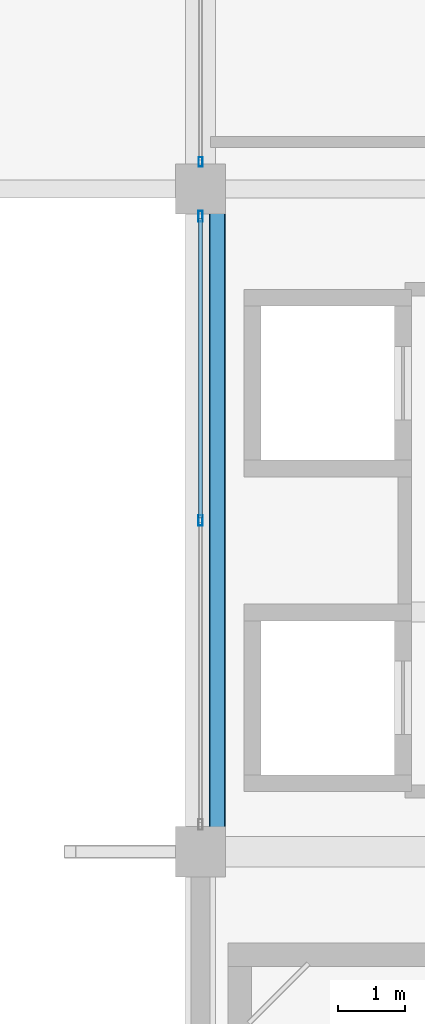
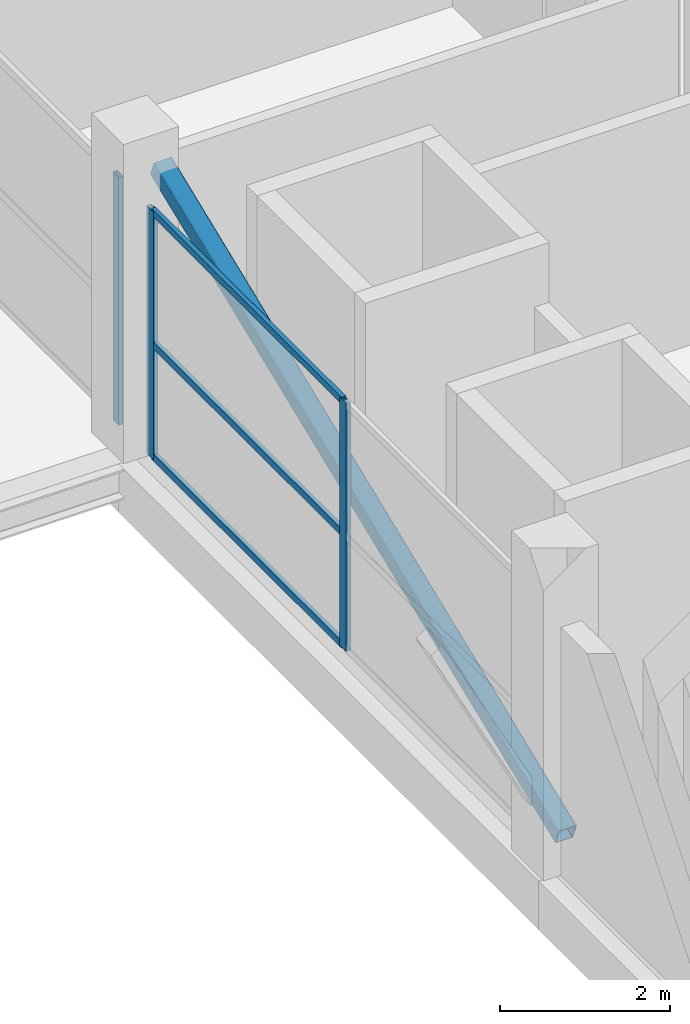
# One storey, part 8 of 58: 7 members, 2 elements without a shape of their own.
"""IFC4 building model written with IfcOpenShell, lengths in metres."""

from ifc_helpers import new_model, si_unit, direction, frame, origin, origin_2d, place, context, subcontext, project, spatial, hollow_rectangle, extrude, material, layer, layer_set, material_profile, profile_set, type_object, element, aggregate, save


model = new_model("IFC4")

# Units and contexts
model_context = context("Model", 3, precision=1e-05, world=origin(), true_north=direction((0.0, 1.0)))
body_context = subcontext(model_context, "Body", "Model", "MODEL_VIEW")
ifc_project = project(units=[si_unit("LENGTHUNIT", "METRE"), si_unit("AREAUNIT", "SQUARE_METRE"), si_unit("VOLUMEUNIT", "CUBIC_METRE"), si_unit("PLANEANGLEUNIT", "RADIAN"), si_unit("MASSUNIT", "GRAM", prefix="KILO")], contexts=[model_context])

# Site, building, storey
site_placement = place(None, origin())
site = spatial("IfcSite", under=ifc_project, at=site_placement, CompositionType="ELEMENT")
building_placement = place(site_placement, origin())
building = spatial("IfcBuilding", under=site, at=building_placement, Name="Sillaruma Civic Art Gallery", CompositionType="ELEMENT")
storey_placement = place(building_placement, frame((0.0, 0.0, 28.56005859375)))
storey = spatial("IfcBuildingStorey", under=building, at=storey_placement, Name="L05", CompositionType="ELEMENT", Elevation=28.56005859375)

# Member
ifc_material_1 = material(Name="Structural Steel ASTM A500 Gr.C", Category="steel")
ifc_material_profile_1 = material_profile(ifc_material_1, hollow_rectangle(XDim=0.25, YDim=0.25, WallThickness=0.012451171875, InnerFilletRadius=0.012451171875, OuterFilletRadius=0.02490234375, at=origin_2d()), Name="HSS250x250x12.5")
ifc_profile_set_1 = profile_set([ifc_material_profile_1], Name="Structural Steel ASTM A500 Gr.C")
member_type_1 = type_object("IfcMemberType", Name="MEM-MEGA-BRACE", PredefinedType="BRACE", material=ifc_profile_set_1)
member_1_placement = place(storey_placement, frame((62.25, 39.780029296875, 0.119873046875), z_axis=(0.0, 0.928004243674, 0.372569622652), x_axis=(-1.0, 0.0, 0.0)))
element("IfcMember", 1, at=member_1_placement, inside=storey, type_object=member_type_1, Name="Gallery Spine Diagonal Steel Brace (L05-W1)", PredefinedType="BRACE", context=body_context, shape_type="SweptSolid", body=[
    extrude(hollow_rectangle(XDim=0.25, YDim=0.25, WallThickness=0.012451171875, InnerFilletRadius=0.012451171875, OuterFilletRadius=0.02490234375, at=origin_2d()), origin(), (0.0, 0.0, 1.0), 10.2802734375),
])

# Curtain wall, member
ifc_material_2 = material(Name="Thermally Broken Extruded Aluminium 6063-T6", Category="aluminium")
ifc_layer_1 = layer(ifc_material_2, 0.139892578125, Name="Thermally Broken Extruded Aluminium 6063-T6")
ifc_layer_set_1 = layer_set([ifc_layer_1], Name="Thermally Broken Extruded Aluminium 6063-T6")
curtain_wall_type_1 = type_object("IfcCurtainWallType", Name="CW-UNI-31", PredefinedType="NOTDEFINED", material=ifc_layer_set_1)
curtain_wall_1_placement = place(storey_placement, origin())
curtain_wall_1 = element("IfcCurtainWall", 2, at=curtain_wall_1_placement, inside=storey, type_object=curtain_wall_type_1, Name="Unitised Curtain Wall CW-31 (CW-L05-W-4)", PredefinedType="NOTDEFINED")
ifc_material_profile_2 = material_profile(ifc_material_2, hollow_rectangle(XDim=0.06005859375, YDim=0.139892578125, WallThickness=0.00341796875, at=origin_2d()), Name="CWM60x140")
ifc_profile_set_2 = profile_set([ifc_material_profile_2], Name="Thermally Broken Extruded Aluminium 6063-T6")
member_type_2 = type_object("IfcMemberType", Name="MEM-MUL-CWM60x140", PredefinedType="MULLION", material=ifc_profile_set_2)
member_2_placement = place(storey_placement, frame((62.0, 49.905029296875, 0.0), z_axis=(0.0, 0.0, 1.0), x_axis=(-1.0, 0.0, 0.0)))
member_2 = element("IfcMember", 3, at=member_2_placement, type_object=member_type_2, Name="CW-31 mullion 1", PredefinedType="MULLION", context=body_context, shape_type="SweptSolid", body=[
    extrude(hollow_rectangle(XDim=0.06005859375, YDim=0.139892578125, WallThickness=0.00341796875, at=origin_2d()), origin(), (0.0, 0.0, 1.0), 3.56982421875),
])
aggregate(curtain_wall_1, [member_2])

# Curtain wall, members
ifc_layer_2 = layer(ifc_material_2, 0.159912109375, Name="Thermally Broken Extruded Aluminium 6063-T6")
ifc_layer_set_2 = layer_set([ifc_layer_2], Name="Thermally Broken Extruded Aluminium 6063-T6")
curtain_wall_type_2 = type_object("IfcCurtainWallType", Name="CW-UNI-29", PredefinedType="NOTDEFINED", material=ifc_layer_set_2)
curtain_wall_2_placement = place(storey_placement, origin())
curtain_wall_2 = element("IfcCurtainWall", 4, at=curtain_wall_2_placement, inside=storey, type_object=curtain_wall_type_2, Name="Unitised Curtain Wall CW-29 (CW-L05-W-3)", PredefinedType="NOTDEFINED")
ifc_material_profile_3 = material_profile(ifc_material_2, hollow_rectangle(XDim=0.06494140625, YDim=0.159912109375, WallThickness=0.00390625, at=origin_2d()), Name="CWM65x160")
ifc_profile_set_3 = profile_set([ifc_material_profile_3], Name="Thermally Broken Extruded Aluminium 6063-T6")
member_type_3 = type_object("IfcMemberType", Name="MEM-MUL-CWM65x160", PredefinedType="MULLION", material=ifc_profile_set_3)
member_3_placement = place(storey_placement, frame((62.0, 44.550048828125, 0.0), z_axis=(0.0, 0.0, 1.0), x_axis=(-1.0, 0.0, 0.0)))
member_3 = element("IfcMember", 5, at=member_3_placement, type_object=member_type_3, Name="CW-29 mullion 2", PredefinedType="MULLION", context=body_context, shape_type="SweptSolid", body=[
    extrude(hollow_rectangle(XDim=0.06494140625, YDim=0.159912109375, WallThickness=0.00390625, at=origin_2d()), origin(), (0.0, 0.0, 1.0), 3.56982421875),
])
member_4_placement = place(storey_placement, frame((62.0, 49.092529296875, 0.0), z_axis=(0.0, 0.0, 1.0), x_axis=(-1.0, 0.0, 0.0)))
member_4 = element("IfcMember", 6, at=member_4_placement, type_object=member_type_3, Name="CW-29 mullion 3", PredefinedType="MULLION", context=body_context, shape_type="SweptSolid", body=[
    extrude(hollow_rectangle(XDim=0.06494140625, YDim=0.159912109375, WallThickness=0.00390625, at=origin_2d()), origin(), (0.0, 0.0, 1.0), 3.56982421875),
])
ifc_material_profile_4 = material_profile(ifc_material_2, hollow_rectangle(XDim=0.06005859375, YDim=0.10009765625, WallThickness=0.003173828125, at=origin_2d()), Name="CWT60x100")
ifc_profile_set_4 = profile_set([ifc_material_profile_4], Name="Thermally Broken Extruded Aluminium 6063-T6")
member_type_4 = type_object("IfcMemberType", Name="MEM-TRN-CWT60x100", PredefinedType="USERDEFINED", material=ifc_profile_set_4)
member_5_placement = place(storey_placement, frame((62.0, 44.58251953125, 0.030029296875), z_axis=(0.0, 1.0, 0.0), x_axis=(-1.0, 0.0, 0.0)))
member_5 = element("IfcMember", 7, at=member_5_placement, type_object=member_type_4, Name="CW-29 transom 2.1", ObjectType="TRANSOM", PredefinedType="USERDEFINED", context=body_context, shape_type="SweptSolid", body=[
    extrude(hollow_rectangle(XDim=0.06005859375, YDim=0.10009765625, WallThickness=0.003173828125, at=origin_2d()), origin(), (0.0, 0.0, 1.0), 4.4775390625),
])
member_6_placement = place(storey_placement, frame((62.0, 44.58251953125, 1.64208984375), z_axis=(0.0, 1.0, 0.0), x_axis=(-1.0, 0.0, 0.0)))
member_6 = element("IfcMember", 8, at=member_6_placement, type_object=member_type_4, Name="CW-29 transom 2.2", ObjectType="TRANSOM", PredefinedType="USERDEFINED", context=body_context, shape_type="SweptSolid", body=[
    extrude(hollow_rectangle(XDim=0.06005859375, YDim=0.10009765625, WallThickness=0.003173828125, at=origin_2d()), origin(), (0.0, 0.0, 1.0), 4.4775390625),
])
member_7_placement = place(storey_placement, frame((62.0, 44.58251953125, 3.5400390625), z_axis=(0.0, 1.0, 0.0), x_axis=(-1.0, 0.0, 0.0)))
member_7 = element("IfcMember", 9, at=member_7_placement, type_object=member_type_4, Name="CW-29 transom 2.3", ObjectType="TRANSOM", PredefinedType="USERDEFINED", context=body_context, shape_type="SweptSolid", body=[
    extrude(hollow_rectangle(XDim=0.06005859375, YDim=0.10009765625, WallThickness=0.003173828125, at=origin_2d()), origin(), (0.0, 0.0, 1.0), 4.4775390625),
])
aggregate(curtain_wall_2, [member_3, member_4, member_5, member_6, member_7])

save(model, "model.ifc")
